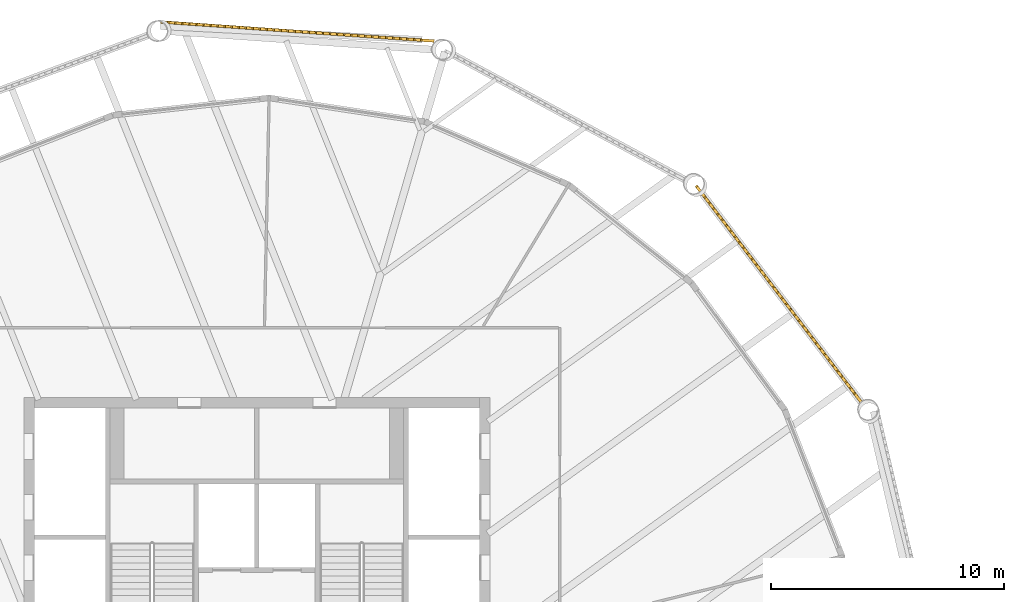
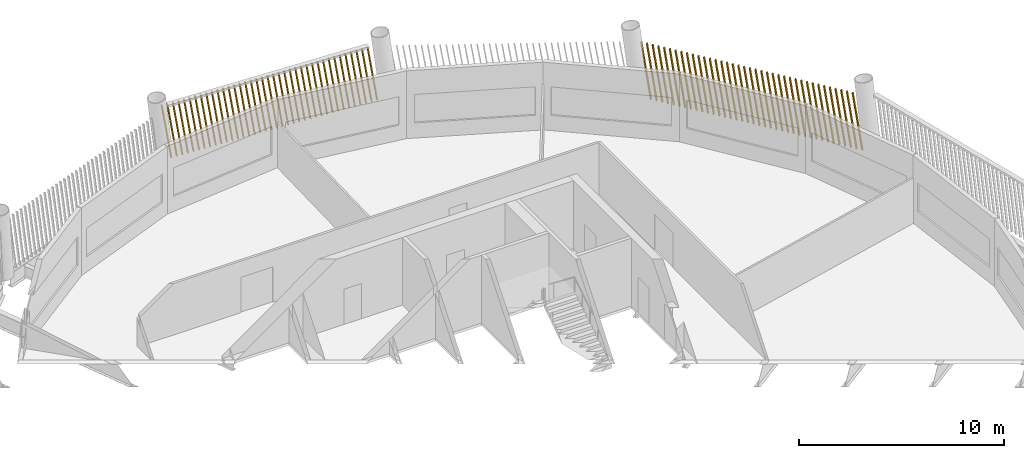
# One storey, part 26 of 27: 2 shading devices.
"""IFC4 building model written with IfcOpenShell, lengths in metres."""

from ifc_helpers import new_model, si_unit, direction, frame, frame_2d, origin, place, context, subcontext, project, spatial, rectangle, composite_profile, extrude, material, type_object, element, save


model = new_model("IFC4")

# Units and contexts
model_context = context("Model", 3, precision=1e-05, world=origin(), true_north=direction((0.0, 1.0)))
body_context = subcontext(model_context, "Body", "Model", "MODEL_VIEW")
ifc_project = project(units=[si_unit("LENGTHUNIT", "METRE"), si_unit("AREAUNIT", "SQUARE_METRE"), si_unit("VOLUMEUNIT", "CUBIC_METRE"), si_unit("PLANEANGLEUNIT", "RADIAN"), si_unit("MASSUNIT", "GRAM", prefix="KILO")], contexts=[model_context])

# Site, building, storey
site_placement = place(None, origin())
site = spatial("IfcSite", under=ifc_project, at=site_placement, CompositionType="ELEMENT")
building_placement = place(site_placement, origin())
building = spatial("IfcBuilding", under=site, at=building_placement, Name="Tarsis Ring Headquarters", CompositionType="ELEMENT")
storey_placement = place(building_placement, frame((0.0, 0.0, 373.39990234375)))
storey = spatial("IfcBuildingStorey", under=building, at=storey_placement, Name="L88", CompositionType="ELEMENT", Elevation=373.39990234375)

# Shading devices
ifc_material = material(Name="Terracotta baguette", Category="masonry")
shading_device_type = type_object("IfcShadingDeviceType", Name="Terracotta baguette screen", PredefinedType="USERDEFINED", material=ifc_material)
shading_device_1_placement = place(storey_placement, frame((25.990478515625, 12.7451171875, 0.0), z_axis=(0.0, 0.0, 1.0), x_axis=(-0.606359196961, 0.795203472599, 0.0)))
element("IfcShadingDevice", 1, at=shading_device_1_placement, inside=storey, type_object=shading_device_type, Name="Baguette screen L88-07", ObjectType="Terracotta baguette screen", PredefinedType="USERDEFINED", context=body_context, shape_type="SweptSolid", body=[
    extrude(composite_profile([rectangle(XDim=0.06005859375, YDim=0.1201171875, at=frame_2d((0.030029296875, 0.0))), rectangle(XDim=0.06005859375, YDim=0.1201171875, at=frame_2d((0.33251953125, 0.0))), rectangle(XDim=0.06005859375, YDim=0.1201171875, at=frame_2d((0.634765625, 0.0))), rectangle(XDim=0.06005859375, YDim=0.1201171875, at=frame_2d((0.937255859375, 0.0))), rectangle(XDim=0.06005859375, YDim=0.1201171875, at=frame_2d((1.239501953125, 0.0))), rectangle(XDim=0.06005859375, YDim=0.1201171875, at=frame_2d((1.5419921875, 0.0))), rectangle(XDim=0.06005859375, YDim=0.1201171875, at=frame_2d((1.844482421875, 0.0))), rectangle(XDim=0.06005859375, YDim=0.1201171875, at=frame_2d((2.146728515625, 0.0))), rectangle(XDim=0.06005859375, YDim=0.1201171875, at=frame_2d((2.44921875, 0.0))), rectangle(XDim=0.06005859375, YDim=0.1201171875, at=frame_2d((2.751708984375, 0.0))), rectangle(XDim=0.06005859375, YDim=0.1201171875, at=frame_2d((3.053955078125, 0.0))), rectangle(XDim=0.06005859375, YDim=0.1201171875, at=frame_2d((3.3564453125, 0.0))), rectangle(XDim=0.06005859375, YDim=0.1201171875, at=frame_2d((3.65869140625, 0.0))), rectangle(XDim=0.06005859375, YDim=0.1201171875, at=frame_2d((3.961181640625, 0.0))), rectangle(XDim=0.06005859375, YDim=0.1201171875, at=frame_2d((4.263671875, 0.0))), rectangle(XDim=0.06005859375, YDim=0.1201171875, at=frame_2d((4.56591796875, 0.0))), rectangle(XDim=0.06005859375, YDim=0.1201171875, at=frame_2d((4.868408203125, 0.0))), rectangle(XDim=0.06005859375, YDim=0.1201171875, at=frame_2d((5.1708984375, 0.0))), rectangle(XDim=0.06005859375, YDim=0.1201171875, at=frame_2d((5.47314453125, 0.0))), rectangle(XDim=0.06005859375, YDim=0.1201171875, at=frame_2d((5.775634765625, 0.0))), rectangle(XDim=0.06005859375, YDim=0.1201171875, at=frame_2d((6.077880859375, 0.0))), rectangle(XDim=0.06005859375, YDim=0.1201171875, at=frame_2d((6.38037109375, 0.0))), rectangle(XDim=0.06005859375, YDim=0.1201171875, at=frame_2d((6.682861328125, 0.0))), rectangle(XDim=0.06005859375, YDim=0.1201171875, at=frame_2d((6.985107421875, 0.0))), rectangle(XDim=0.06005859375, YDim=0.1201171875, at=frame_2d((7.28759765625, 0.0))), rectangle(XDim=0.06005859375, YDim=0.1201171875, at=frame_2d((7.590087890625, 0.0))), rectangle(XDim=0.06005859375, YDim=0.1201171875, at=frame_2d((7.892333984375, 0.0))), rectangle(XDim=0.06005859375, YDim=0.1201171875, at=frame_2d((8.19482421875, 0.0))), rectangle(XDim=0.06005859375, YDim=0.1201171875, at=frame_2d((8.4970703125, 0.0))), rectangle(XDim=0.06005859375, YDim=0.1201171875, at=frame_2d((8.799560546875, 0.0))), rectangle(XDim=0.06005859375, YDim=0.1201171875, at=frame_2d((9.10205078125, 0.0))), rectangle(XDim=0.06005859375, YDim=0.1201171875, at=frame_2d((9.404296875, 0.0))), rectangle(XDim=0.06005859375, YDim=0.1201171875, at=frame_2d((9.706787109375, 0.0))), rectangle(XDim=0.06005859375, YDim=0.1201171875, at=frame_2d((10.00927734375, 0.0))), rectangle(XDim=0.06005859375, YDim=0.1201171875, at=frame_2d((10.3115234375, 0.0))), rectangle(XDim=0.06005859375, YDim=0.1201171875, at=frame_2d((10.614013671875, 0.0))), rectangle(XDim=0.06005859375, YDim=0.1201171875, at=frame_2d((10.916259765625, 0.0))), rectangle(XDim=0.06005859375, YDim=0.1201171875, at=frame_2d((11.21875, 0.0)))]), origin(), (0.155204490963, 0.001408592748, 0.987881360211), 3.32080078125),
])
shading_device_2_placement = place(storey_placement, frame((7.612060546875, 28.3095703125, 0.0), z_axis=(0.0, 0.0, 1.0), x_axis=(-0.99756923344, 0.069558989496, 0.0)))
element("IfcShadingDevice", 2, at=shading_device_2_placement, inside=storey, type_object=shading_device_type, Name="Baguette screen L88-09", ObjectType="Terracotta baguette screen", PredefinedType="USERDEFINED", context=body_context, shape_type="SweptSolid", body=[
    extrude(composite_profile([rectangle(XDim=0.06005859375, YDim=0.1201171875, at=frame_2d((0.030029296875, 0.0))), rectangle(XDim=0.06005859375, YDim=0.1201171875, at=frame_2d((0.33251953125, 0.0))), rectangle(XDim=0.06005859375, YDim=0.1201171875, at=frame_2d((0.634765625, 0.0))), rectangle(XDim=0.06005859375, YDim=0.1201171875, at=frame_2d((0.937255859375, 0.0))), rectangle(XDim=0.06005859375, YDim=0.1201171875, at=frame_2d((1.239501953125, 0.0))), rectangle(XDim=0.06005859375, YDim=0.1201171875, at=frame_2d((1.5419921875, 0.0))), rectangle(XDim=0.06005859375, YDim=0.1201171875, at=frame_2d((1.844482421875, 0.0))), rectangle(XDim=0.06005859375, YDim=0.1201171875, at=frame_2d((2.146728515625, 0.0))), rectangle(XDim=0.06005859375, YDim=0.1201171875, at=frame_2d((2.44921875, 0.0))), rectangle(XDim=0.06005859375, YDim=0.1201171875, at=frame_2d((2.751708984375, 0.0))), rectangle(XDim=0.06005859375, YDim=0.1201171875, at=frame_2d((3.053955078125, 0.0))), rectangle(XDim=0.06005859375, YDim=0.1201171875, at=frame_2d((3.3564453125, 0.0))), rectangle(XDim=0.06005859375, YDim=0.1201171875, at=frame_2d((3.65869140625, 0.0))), rectangle(XDim=0.06005859375, YDim=0.1201171875, at=frame_2d((3.961181640625, 0.0))), rectangle(XDim=0.06005859375, YDim=0.1201171875, at=frame_2d((4.263671875, 0.0))), rectangle(XDim=0.06005859375, YDim=0.1201171875, at=frame_2d((4.56591796875, 0.0))), rectangle(XDim=0.06005859375, YDim=0.1201171875, at=frame_2d((4.868408203125, 0.0))), rectangle(XDim=0.06005859375, YDim=0.1201171875, at=frame_2d((5.1708984375, 0.0))), rectangle(XDim=0.06005859375, YDim=0.1201171875, at=frame_2d((5.47314453125, 0.0))), rectangle(XDim=0.06005859375, YDim=0.1201171875, at=frame_2d((5.775634765625, 0.0))), rectangle(XDim=0.06005859375, YDim=0.1201171875, at=frame_2d((6.077880859375, 0.0))), rectangle(XDim=0.06005859375, YDim=0.1201171875, at=frame_2d((6.38037109375, 0.0))), rectangle(XDim=0.06005859375, YDim=0.1201171875, at=frame_2d((6.682861328125, 0.0))), rectangle(XDim=0.06005859375, YDim=0.1201171875, at=frame_2d((6.985107421875, 0.0))), rectangle(XDim=0.06005859375, YDim=0.1201171875, at=frame_2d((7.28759765625, 0.0))), rectangle(XDim=0.06005859375, YDim=0.1201171875, at=frame_2d((7.590087890625, 0.0))), rectangle(XDim=0.06005859375, YDim=0.1201171875, at=frame_2d((7.892333984375, 0.0))), rectangle(XDim=0.06005859375, YDim=0.1201171875, at=frame_2d((8.19482421875, 0.0))), rectangle(XDim=0.06005859375, YDim=0.1201171875, at=frame_2d((8.4970703125, 0.0))), rectangle(XDim=0.06005859375, YDim=0.1201171875, at=frame_2d((8.799560546875, 0.0))), rectangle(XDim=0.06005859375, YDim=0.1201171875, at=frame_2d((9.10205078125, 0.0))), rectangle(XDim=0.06005859375, YDim=0.1201171875, at=frame_2d((9.404296875, 0.0))), rectangle(XDim=0.06005859375, YDim=0.1201171875, at=frame_2d((9.706787109375, 0.0))), rectangle(XDim=0.06005859375, YDim=0.1201171875, at=frame_2d((10.00927734375, 0.0))), rectangle(XDim=0.06005859375, YDim=0.1201171875, at=frame_2d((10.3115234375, 0.0))), rectangle(XDim=0.06005859375, YDim=0.1201171875, at=frame_2d((10.614013671875, 0.0))), rectangle(XDim=0.06005859375, YDim=0.1201171875, at=frame_2d((10.916259765625, 0.0))), rectangle(XDim=0.06005859375, YDim=0.1201171875, at=frame_2d((11.21875, 0.0)))]), origin(), (0.157200972257, 0.00142672588, 0.987565602264), 3.32177734375),
])

save(model, "model.ifc")
